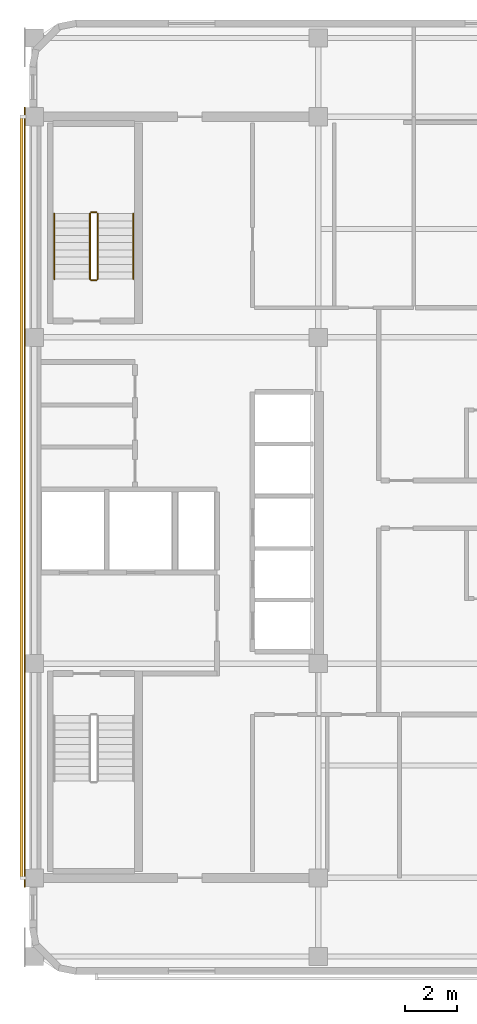
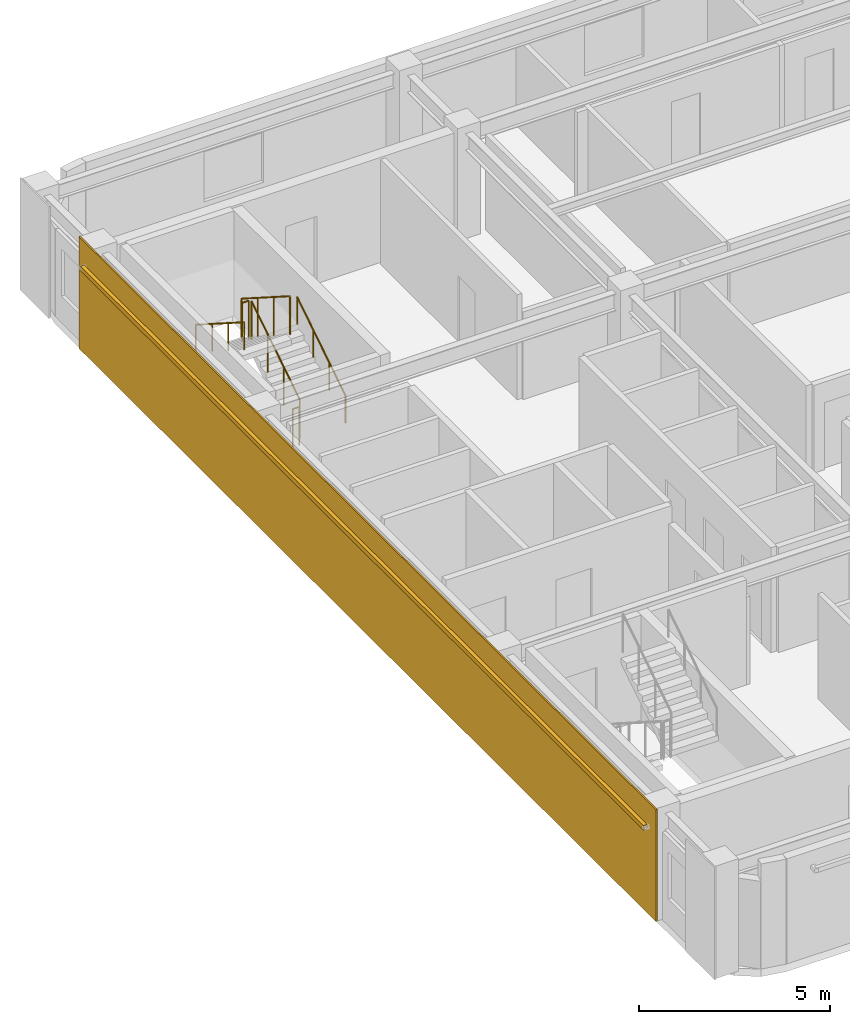
# One storey, part 9 of 10: 6 railings, 1 covering, 1 shading device.
"""IFC4 building model written with IfcOpenShell, lengths in metres."""

from ifc_helpers import new_model, si_unit, direction, frame, origin, origin_2d, place, context, subcontext, project, spatial, rectangle, circle, extrude, material, layer, layer_set, material_profile, profile_set, type_object, element, save


model = new_model("IFC4")

# Units and contexts
model_context = context("Model", 3, precision=1e-05, world=origin(), true_north=direction((0.0, 1.0)))
body_context = subcontext(model_context, "Body", "Model", "MODEL_VIEW")
ifc_project = project(units=[si_unit("LENGTHUNIT", "METRE"), si_unit("AREAUNIT", "SQUARE_METRE"), si_unit("VOLUMEUNIT", "CUBIC_METRE"), si_unit("PLANEANGLEUNIT", "RADIAN"), si_unit("MASSUNIT", "GRAM", prefix="KILO")], contexts=[model_context])

# Site, building, storey
site_placement = place(None, origin())
site = spatial("IfcSite", under=ifc_project, at=site_placement, CompositionType="ELEMENT")
building_placement = place(site_placement, origin())
building = spatial("IfcBuilding", under=site, at=building_placement, Name="Ochreholt Gables", CompositionType="ELEMENT")
storey_placement = place(building_placement, frame((0.0, 0.0, 256.800048828125)))
storey = spatial("IfcBuildingStorey", under=building, at=storey_placement, Name="L67", CompositionType="ELEMENT", Elevation=256.800048828125)

# Covering
ifc_material_1 = material(Name="Glazed Ochre Terracotta Rainscreen Cladding", Category="masonry")
ifc_layer = layer(ifc_material_1, 0.044921875, Name="Glazed Ochre Terracotta Rainscreen Cladding")
ifc_layer_set = layer_set([ifc_layer], Name="Glazed Ochre Terracotta Rainscreen Cladding")
covering_type = type_object("IfcCoveringType", Name="COV-CLAD-TC", PredefinedType="CLADDING", material=ifc_layer_set)
covering_placement = place(storey_placement, frame((23.827880859375, 24.0, 0.010009765625), z_axis=(0.0, 0.0, 1.0), x_axis=(0.0, 1.0, 0.0)))
element("IfcCovering", 1, at=covering_placement, inside=storey, type_object=covering_type, Name="L67 West Core Terracotta Rainscreen Cladding", PredefinedType="CLADDING", context=body_context, shape_type="SweptSolid", body=[
    extrude(rectangle(XDim=30.239990234375, YDim=0.044921875, at=origin_2d()), origin(), (0.0, 0.0, 1.0), 3.580078125),
])

# Railings
ifc_material_2 = material(Name="Painted Steel Stair Guardrail", Category="steel")
railing_type_1 = type_object("IfcRailingType", Name="RL-ST-GUARD", PredefinedType="GUARDRAIL", material=ifc_material_2)
railing_1_placement = place(storey_placement, frame((26.64990234375, 32.4599609375, 0.179931640625)))
element("IfcRailing", 2, at=railing_1_placement, inside=storey, type_object=railing_type_1, Name="L67 ST-2 stair guard 1", PredefinedType="GUARDRAIL", context=body_context, shape_type="SweptSolid", body=[
    extrude(circle(Radius=0.02392578125, at=origin_2d()), frame((0.0, 0.0, 1.22607421875), z_axis=(0.0, 0.842912820907, 0.538050161556), x_axis=(-1.0, 0.0, 0.0)), (0.0, 0.0, 1.0), 3.010986328125),
    extrude(circle(Radius=0.02099609375, at=origin_2d()), origin(), (0.0, 0.0, 1.0), 1.201904296875),
    extrude(circle(Radius=0.02099609375, at=origin_2d()), frame((0.0, 0.845947265625, 0.5400390625)), (0.0, 0.0, 1.0), 1.201904296875),
    extrude(circle(Radius=0.02099609375, at=origin_2d()), frame((0.0, 1.692138671875, 1.080078125)), (0.0, 0.0, 1.0), 1.201904296875),
    extrude(circle(Radius=0.02099609375, at=origin_2d()), frame((0.0, 2.5380859375, 1.6201171875)), (0.0, 0.0, 1.0), 1.201904296875),
])
railing_2_placement = place(storey_placement, frame((26.60009765625, 35.048095703125, 1.800048828125)))
element("IfcRailing", 3, at=railing_2_placement, inside=storey, type_object=railing_type_1, Name="L67 ST-2 stair guard 2", PredefinedType="GUARDRAIL", context=body_context, shape_type="SweptSolid", body=[
    extrude(circle(Radius=0.02392578125, at=origin_2d()), frame((0.0, 0.0, 1.22607421875), z_axis=(-1.0, 0.0, 0.0), x_axis=(0.0, -1.0, 0.0)), (0.0, 0.0, 1.0), 0.2001953125),
    extrude(circle(Radius=0.02099609375, at=origin_2d()), origin(), (0.0, 0.0, 1.0), 1.201904296875),
    extrude(circle(Radius=0.02099609375, at=origin_2d()), frame((-0.2001953125, 0.0, 0.0)), (0.0, 0.0, 1.0), 1.201904296875),
])
railing_3_placement = place(storey_placement, frame((26.35009765625, 34.998046875, 1.97998046875)))
element("IfcRailing", 4, at=railing_3_placement, inside=storey, type_object=railing_type_1, Name="L67 ST-2 stair guard 3", PredefinedType="GUARDRAIL", context=body_context, shape_type="SweptSolid", body=[
    extrude(circle(Radius=0.02392578125, at=origin_2d()), frame((0.0, 0.0, 1.22607421875), z_axis=(0.0, -0.842949592929, 0.537992549931), x_axis=(1.0, 0.0, 0.0)), (0.0, 0.0, 1.0), 3.010986328125),
    extrude(circle(Radius=0.02099609375, at=origin_2d()), origin(), (0.0, 0.0, 1.0), 1.201904296875),
    extrude(circle(Radius=0.02099609375, at=origin_2d()), frame((0.0, -0.845947265625, 0.5400390625)), (0.0, 0.0, 1.0), 1.201904296875),
    extrude(circle(Radius=0.02099609375, at=origin_2d()), frame((0.0, -1.692138671875, 1.079833984375)), (0.0, 0.0, 1.0), 1.201904296875),
    extrude(circle(Radius=0.02099609375, at=origin_2d()), frame((0.0, -2.5380859375, 1.619873046875)), (0.0, 0.0, 1.0), 1.201904296875),
])
railing_4_placement = place(storey_placement, frame((26.60009765625, 32.409912109375, 0.0)))
element("IfcRailing", 5, at=railing_4_placement, inside=storey, type_object=railing_type_1, Name="L67 ST-2 stair guard 4", PredefinedType="GUARDRAIL", context=body_context, shape_type="SweptSolid", body=[
    extrude(circle(Radius=0.02392578125, at=origin_2d()), frame((0.0, 0.0, 1.22607421875), z_axis=(-1.0, 0.0, 0.0), x_axis=(0.0, -1.0, 0.0)), (0.0, 0.0, 1.0), 0.2001953125),
    extrude(circle(Radius=0.02099609375, at=origin_2d()), origin(), (0.0, 0.0, 1.0), 1.201904296875),
    extrude(circle(Radius=0.02099609375, at=origin_2d()), frame((-0.2001953125, 0.0, 0.0)), (0.0, 0.0, 1.0), 1.201904296875),
])
ifc_material_3 = material(Name="Brushed Stainless Steel Wall Handrail", Category="steel")
railing_type_2 = type_object("IfcRailingType", Name="RL-ST-HAND", PredefinedType="HANDRAIL", material=ifc_material_3)
railing_5_placement = place(storey_placement, frame((28.030029296875, 32.4599609375, 0.179931640625)))
element("IfcRailing", 6, at=railing_5_placement, inside=storey, type_object=railing_type_2, Name="L67 ST-2 stair handrail 1", PredefinedType="HANDRAIL", context=body_context, shape_type="SweptSolid", body=[
    extrude(circle(Radius=0.02392578125, at=origin_2d()), frame((0.0, 0.0, 0.8759765625), z_axis=(0.0, 0.842912820907, 0.538050161556), x_axis=(-1.0, 0.0, 0.0)), (0.0, 0.0, 1.0), 3.010986328125),
    extrude(circle(Radius=0.02099609375, at=origin_2d()), origin(), (0.0, 0.0, 1.0), 0.851806640625),
    extrude(circle(Radius=0.02099609375, at=origin_2d()), frame((0.0, 0.845947265625, 0.5400390625)), (0.0, 0.0, 1.0), 0.851806640625),
    extrude(circle(Radius=0.02099609375, at=origin_2d()), frame((0.0, 1.692138671875, 1.080078125)), (0.0, 0.0, 1.0), 0.851806640625),
    extrude(circle(Radius=0.02099609375, at=origin_2d()), frame((0.0, 2.5380859375, 1.6201171875)), (0.0, 0.0, 1.0), 0.851806640625),
])
railing_6_placement = place(storey_placement, frame((24.969970703125, 34.998046875, 1.97998046875)))
element("IfcRailing", 7, at=railing_6_placement, inside=storey, type_object=railing_type_2, Name="L67 ST-2 stair handrail 2", PredefinedType="HANDRAIL", context=body_context, shape_type="SweptSolid", body=[
    extrude(circle(Radius=0.02392578125, at=origin_2d()), frame((0.0, 0.0, 0.8759765625), z_axis=(0.0, -0.842949592929, 0.537992549931), x_axis=(1.0, 0.0, 0.0)), (0.0, 0.0, 1.0), 3.010986328125),
    extrude(circle(Radius=0.02099609375, at=origin_2d()), origin(), (0.0, 0.0, 1.0), 0.851806640625),
    extrude(circle(Radius=0.02099609375, at=origin_2d()), frame((0.0, -0.845947265625, 0.5400390625)), (0.0, 0.0, 1.0), 0.851806640625),
    extrude(circle(Radius=0.02099609375, at=origin_2d()), frame((0.0, -1.692138671875, 1.079833984375)), (0.0, 0.0, 1.0), 0.851806640625),
    extrude(circle(Radius=0.02099609375, at=origin_2d()), frame((0.0, -2.5380859375, 1.619873046875)), (0.0, 0.0, 1.0), 0.851806640625),
])

# Shading device
ifc_material_4 = material(Name="Warm Ochre Glazed Terracotta Baguette", Category="masonry")
ifc_material_profile = material_profile(ifc_material_4, rectangle(XDim=0.110107421875, YDim=0.14990234375, at=origin_2d()), Name="TCBAG110X150")
ifc_profile_set = profile_set([ifc_material_profile], Name="Warm Ochre Glazed Terracotta Baguette")
shading_device_type = type_object("IfcShadingDeviceType", Name="SHD-BAGUETTE", PredefinedType="USERDEFINED", material=ifc_profile_set)
shading_device_placement = place(storey_placement, frame((23.699951171875, 38.75, 2.83984375), z_axis=(0.0, -1.0, 0.0), x_axis=(1.0, 0.0, 0.0)))
element("IfcShadingDevice", 8, at=shading_device_placement, inside=storey, type_object=shading_device_type, Name="L67 Terracotta Baguette Screen W-1", ObjectType="BAGUETTE", PredefinedType="USERDEFINED", context=body_context, shape_type="SweptSolid", body=[
    extrude(rectangle(XDim=0.110107421875, YDim=0.14990234375, at=origin_2d()), origin(), (0.0, 0.0, 1.0), 29.5),
])

save(model, "model.ifc")
